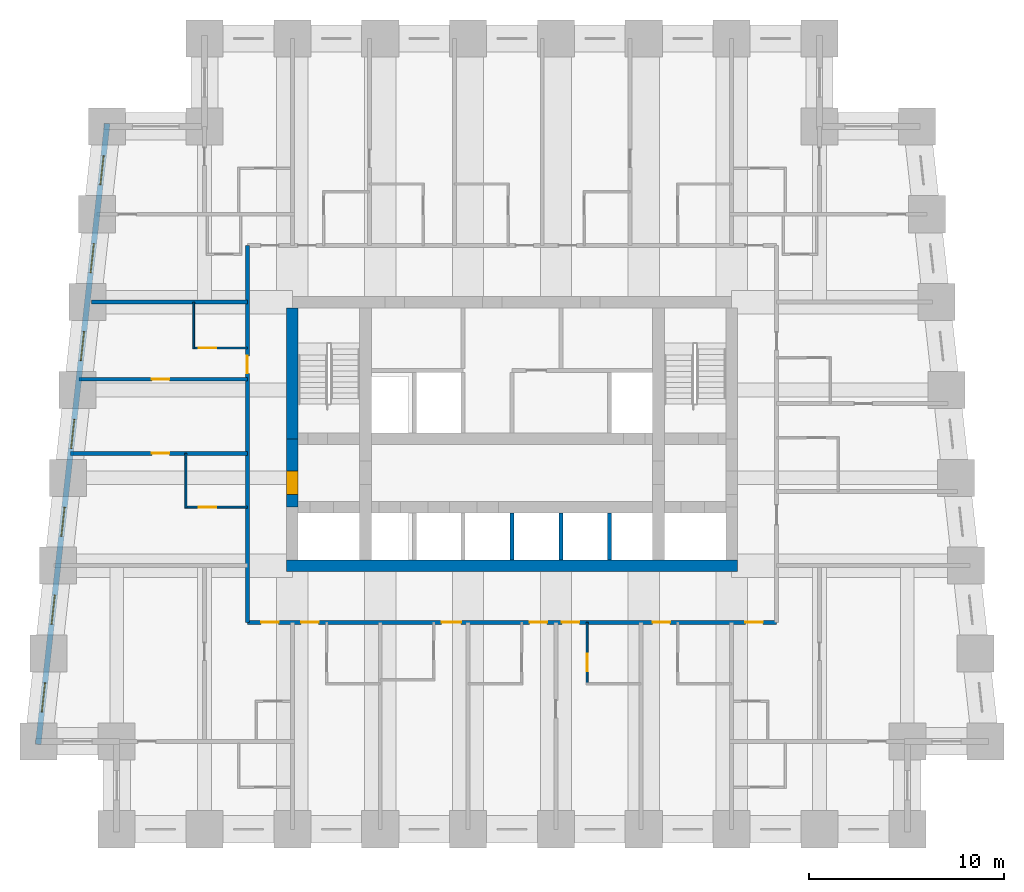
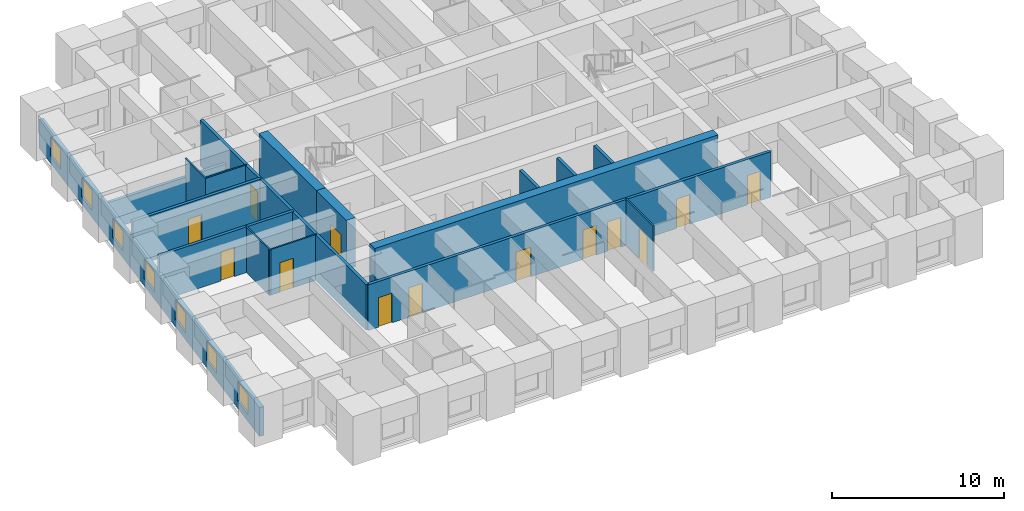
# One storey, part 3 of 8: 17 walls, 14 doors, 7 windows, 21 openings.
"""IFC4 building model written with IfcOpenShell, lengths in metres."""

from ifc_helpers import new_model, si_unit, direction, frame, frame_2d, origin, place, context, subcontext, project, spatial, rectangle, extrude, material, layer, layer_set, type_object, element, fill, save


model = new_model("IFC4")

# Units and contexts
model_context = context("Model", 3, precision=1e-05, world=origin(), true_north=direction((0.0, 1.0)))
body_context = subcontext(model_context, "Body", "Model", "MODEL_VIEW")
ifc_project = project(units=[si_unit("LENGTHUNIT", "METRE"), si_unit("AREAUNIT", "SQUARE_METRE"), si_unit("VOLUMEUNIT", "CUBIC_METRE"), si_unit("PLANEANGLEUNIT", "RADIAN"), si_unit("MASSUNIT", "GRAM", prefix="KILO")], contexts=[model_context])

# Site, building, storey
site_placement = place(None, origin())
site = spatial("IfcSite", under=ifc_project, at=site_placement, CompositionType="ELEMENT")
building_placement = place(site_placement, origin())
building = spatial("IfcBuilding", under=site, at=building_placement, Name="Kilele Tower Hotel", CompositionType="ELEMENT")
storey_placement = place(building_placement, frame((0.0, 0.0, 68.199951171875)))
storey = spatial("IfcBuildingStorey", under=building, at=storey_placement, Name="L16", CompositionType="ELEMENT", Elevation=68.199951171875)

# Wall, opening, door
ifc_material_1 = material(Name="Moisture-resistant board")
ifc_layer_1 = layer(ifc_material_1, 0.10009765625)
ifc_layer_set_1 = layer_set([ifc_layer_1], Name="Moisture-resistant board")
wall_type_1 = type_object("IfcWallType", Name="Bathroom partition 100", PredefinedType="PLUMBINGWALL", material=ifc_layer_set_1)
wall_1_placement = place(storey_placement, frame((28.60009765625, 10.60009765625, 0.0), z_axis=(0.0, 0.0, 1.0), x_axis=(0.0, -1.0, 0.0)))
wall_1 = element("IfcWall", 1, at=wall_1_placement, inside=storey, type_object=wall_type_1, Name="Bathroom partition 100 L16", PredefinedType="PLUMBINGWALL", context=body_context, shape_type="SweptSolid", body=[
    extrude(rectangle(XDim=3.2001953125, YDim=0.10009765625, at=frame_2d((1.60009765625, 0.0))), origin(), (0.0, 0.0, 1.0), 3.25),
])
opening_1_placement = place(wall_1_placement, frame((2.5, 0.0, 0.0), z_axis=(0.0, 0.0, 1.0), x_axis=(-1.0, 0.0, 0.0)))
opening_1 = element("IfcOpeningElement", 2, at=opening_1_placement, cuts=wall_1, Name="Opening D2A", PredefinedType="OPENING", context=body_context, shape_type="SweptSolid", body=[
    extrude(rectangle(XDim=0.89990234375, YDim=2.10009765625, at=frame_2d((0.449951171875, 1.050048828125))), frame((0.0, 0.06005859375, 0.0), z_axis=(0.0, -1.0, 0.0), x_axis=(1.0, 0.0, 0.0)), (0.0, 0.0, 1.0), 0.1201171875),
])
ifc_material_2 = material(Name="Timber door leaf in hardwood frame", Category="wood")
door_type_1 = type_object("IfcDoorType", Name="Bathroom door 900", OperationType="SINGLE_SWING_LEFT", PredefinedType="DOOR", material=ifc_material_2)
door_1_placement = place(opening_1_placement, origin())
door_1 = element("IfcDoor", 3, at=door_1_placement, inside=storey, type_object=door_type_1, Name="Bathroom door 1604B", OperationType="SINGLE_SWING_LEFT", OverallHeight=2.10009765625, OverallWidth=0.89990234375, PredefinedType="DOOR", context=body_context, shape_type="SweptSolid", body=[
    extrude(rectangle(XDim=0.89990234375, YDim=2.10009765625, at=frame_2d((0.449951171875, 1.050048828125))), frame((0.0, 0.02490234375, 0.0), z_axis=(0.0, -1.0, 0.0), x_axis=(1.0, 0.0, 0.0)), (0.0, 0.0, 1.0), 0.050048828125),
])
fill(opening_1, door_1)

# Wall
wall_2_placement = place(storey_placement, frame((8.050048828125, 16.449951171875, 0.0), z_axis=(0.0, 0.0, 1.0), x_axis=(0.0, 1.0, 0.0)))
element("IfcWall", 4, at=wall_2_placement, inside=storey, type_object=wall_type_1, Name="Bathroom partition 100 L16", PredefinedType="PLUMBINGWALL", context=body_context, shape_type="SweptSolid", body=[
    extrude(rectangle(XDim=2.800048828125, YDim=0.10009765625, at=frame_2d((1.39990234375, 0.0))), origin(), (0.0, 0.0, 1.0), 3.25),
])

# Wall, opening, door
wall_3_placement = place(storey_placement, frame((11.199951171875, 16.5, 0.0), z_axis=(0.0, 0.0, 1.0), x_axis=(-1.0, 0.0, 0.0)))
wall_3 = element("IfcWall", 5, at=wall_3_placement, inside=storey, type_object=wall_type_1, Name="Bathroom partition 100 L16", PredefinedType="PLUMBINGWALL", context=body_context, shape_type="SweptSolid", body=[
    extrude(rectangle(XDim=3.199951171875, YDim=0.10009765625, at=frame_2d((1.60009765625, 0.0))), origin(), (0.0, 0.0, 1.0), 3.25),
])
opening_2_placement = place(wall_3_placement, frame((1.60009765625, 0.0, 0.0)))
opening_2 = element("IfcOpeningElement", 6, at=opening_2_placement, cuts=wall_3, Name="Opening D2A", PredefinedType="OPENING", context=body_context, shape_type="SweptSolid", body=[
    extrude(rectangle(XDim=0.89990234375, YDim=2.10009765625, at=frame_2d((0.449951171875, 1.050048828125))), frame((0.0, 0.06005859375, 0.0), z_axis=(0.0, -1.0, 0.0), x_axis=(1.0, 0.0, 0.0)), (0.0, 0.0, 1.0), 0.1201171875),
])
door_2_placement = place(opening_2_placement, origin())
door_2 = element("IfcDoor", 7, at=door_2_placement, inside=storey, type_object=door_type_1, Name="Bathroom door 1614B", OperationType="SINGLE_SWING_RIGHT", OverallHeight=2.10009765625, OverallWidth=0.89990234375, PredefinedType="DOOR", context=body_context, shape_type="SweptSolid", body=[
    extrude(rectangle(XDim=0.89990234375, YDim=2.10009765625, at=frame_2d((0.449951171875, 1.050048828125))), frame((0.0, 0.02490234375, 0.0), z_axis=(0.0, -1.0, 0.0), x_axis=(1.0, 0.0, 0.0)), (0.0, 0.0, 1.0), 0.050048828125),
])
fill(opening_2, door_2)

# Wall
wall_4_placement = place(storey_placement, frame((8.449951171875, 24.60009765625, 0.0), z_axis=(0.0, 0.0, 1.0), x_axis=(0.0, 1.0, 0.0)))
element("IfcWall", 8, at=wall_4_placement, inside=storey, type_object=wall_type_1, Name="Bathroom partition 100 L16", PredefinedType="PLUMBINGWALL", context=body_context, shape_type="SweptSolid", body=[
    extrude(rectangle(XDim=2.39990234375, YDim=0.10009765625, at=frame_2d((1.199951171875, 0.0))), origin(), (0.0, 0.0, 1.0), 3.25),
])

# Wall, opening, door
wall_5_placement = place(storey_placement, frame((11.199951171875, 24.64990234375, 0.0), z_axis=(0.0, 0.0, 1.0), x_axis=(-1.0, 0.0, 0.0)))
wall_5 = element("IfcWall", 9, at=wall_5_placement, inside=storey, type_object=wall_type_1, Name="Bathroom partition 100 L16", PredefinedType="PLUMBINGWALL", context=body_context, shape_type="SweptSolid", body=[
    extrude(rectangle(XDim=2.800048828125, YDim=0.10009765625, at=frame_2d((1.39990234375, 0.0))), origin(), (0.0, 0.0, 1.0), 3.25),
])
opening_3_placement = place(wall_5_placement, frame((1.60009765625, 0.0, 0.0)))
opening_3 = element("IfcOpeningElement", 10, at=opening_3_placement, cuts=wall_5, Name="Opening D2A", PredefinedType="OPENING", context=body_context, shape_type="SweptSolid", body=[
    extrude(rectangle(XDim=0.89990234375, YDim=2.10009765625, at=frame_2d((0.449951171875, 1.050048828125))), frame((0.0, 0.06005859375, 0.0), z_axis=(0.0, -1.0, 0.0), x_axis=(1.0, 0.0, 0.0)), (0.0, 0.0, 1.0), 0.1201171875),
])
door_3_placement = place(opening_3_placement, origin())
door_3 = element("IfcDoor", 11, at=door_3_placement, inside=storey, type_object=door_type_1, Name="Bathroom door 1616B", OperationType="SINGLE_SWING_RIGHT", OverallHeight=2.10009765625, OverallWidth=0.89990234375, PredefinedType="DOOR", context=body_context, shape_type="SweptSolid", body=[
    extrude(rectangle(XDim=0.89990234375, YDim=2.10009765625, at=frame_2d((0.449951171875, 1.050048828125))), frame((0.0, 0.02490234375, 0.0), z_axis=(0.0, -1.0, 0.0), x_axis=(1.0, 0.0, 0.0)), (0.0, 0.0, 1.0), 0.050048828125),
])
fill(opening_3, door_3)

# Walls
ifc_material_3 = material(Name="Concrete C60/75", Category="concrete")
ifc_layer_2 = layer(ifc_material_3, 0.60009765625)
ifc_layer_set_2 = layer_set([ifc_layer_2], Name="Concrete C60/75")
wall_type_2 = type_object("IfcWallType", Name="Core wall 600 C60/75", PredefinedType="SHEAR", material=ifc_layer_set_2)
wall_6_placement = place(storey_placement, frame((13.199951171875, 13.5, 0.0), z_axis=(0.0, 0.0, 1.0), x_axis=(1.0, 0.0, 0.0)))
element("IfcWall", 12, at=wall_6_placement, inside=storey, type_object=wall_type_2, Name="Core wall S L16", PredefinedType="SHEAR", context=body_context, shape_type="SweptSolid", body=[
    extrude(rectangle(XDim=23.10009765625, YDim=0.60009765625, at=frame_2d((11.550048828125, 0.0))), origin(), (0.0, 0.0, 1.0), 3.5),
])
wall_7_placement = place(storey_placement, frame((13.5, 26.699951171875, 0.0), z_axis=(0.0, 0.0, 1.0), x_axis=(0.0, -1.0, 0.0)))
element("IfcWall", 13, at=wall_7_placement, inside=storey, type_object=wall_type_2, Name="Core wall W1 L16", PredefinedType="SHEAR", context=body_context, shape_type="SweptSolid", body=[
    extrude(rectangle(XDim=6.699951171875, YDim=0.60009765625, at=frame_2d((3.35009765625, 0.0))), origin(), (0.0, 0.0, 1.0), 3.5),
])

# Wall, opening, door
wall_8_placement = place(storey_placement, frame((13.5, 20.0, 0.0), z_axis=(0.0, 0.0, 1.0), x_axis=(0.0, -1.0, 0.0)))
wall_8 = element("IfcWall", 14, at=wall_8_placement, inside=storey, type_object=wall_type_2, Name="Core wall W2 L16", PredefinedType="SHEAR", context=body_context, shape_type="SweptSolid", body=[
    extrude(rectangle(XDim=3.5, YDim=0.60009765625, at=frame_2d((1.75, 0.0))), origin(), (0.0, 0.0, 1.0), 3.5),
])
opening_4_placement = place(wall_8_placement, frame((1.64990234375, 0.0, 0.0)))
opening_4 = element("IfcOpeningElement", 15, at=opening_4_placement, cuts=wall_8, Name="Opening D4", PredefinedType="OPENING", context=body_context, shape_type="SweptSolid", body=[
    extrude(rectangle(XDim=1.199951171875, YDim=2.10009765625, at=frame_2d((0.60009765625, 1.050048828125))), frame((0.0, 0.31005859375, 0.0), z_axis=(0.0, -1.0, 0.0), x_axis=(1.0, 0.0, 0.0)), (0.0, 0.0, 1.0), 0.6201171875),
])
ifc_material_4 = material(Name="Timber door leaf in hardwood frame", Category="wood")
door_type_2 = type_object("IfcDoorType", Name="Firefighting lobby door 1200", OperationType="SINGLE_SWING_LEFT", PredefinedType="DOOR", material=ifc_material_4)
door_4_placement = place(opening_4_placement, origin())
door_4 = element("IfcDoor", 16, at=door_4_placement, inside=storey, type_object=door_type_2, Name="Lobby door L16", OperationType="SINGLE_SWING_RIGHT", OverallHeight=2.10009765625, OverallWidth=1.199951171875, PredefinedType="DOOR", context=body_context, shape_type="SweptSolid", body=[
    extrude(rectangle(XDim=1.199951171875, YDim=2.10009765625, at=frame_2d((0.60009765625, 1.050048828125))), frame((0.0, 0.2998046875, 0.0), z_axis=(0.0, -1.0, 0.0), x_axis=(1.0, 0.0, 0.0)), (0.0, 0.0, 1.0), 0.599609375),
])
fill(opening_4, door_4)

# Wall, openings, doors
ifc_material_5 = material(Name="Blockwork, plastered both sides", Category="masonry")
ifc_layer_3 = layer(ifc_material_5, 0.199951171875)
ifc_layer_set_3 = layer_set([ifc_layer_3], Name="Blockwork, plastered both sides")
wall_type_3 = type_object("IfcWallType", Name="Corridor wall 200", PredefinedType="PARTITIONING", material=ifc_layer_set_3)
wall_9_placement = place(storey_placement, frame((11.199951171875, 10.60009765625, 0.0), z_axis=(0.0, 0.0, 1.0), x_axis=(1.0, 0.0, 0.0)))
wall_9 = element("IfcWall", 17, at=wall_9_placement, inside=storey, type_object=wall_type_3, Name="Corridor wall 200 L16", PredefinedType="PARTITIONING", context=body_context, shape_type="SweptSolid", body=[
    extrude(rectangle(XDim=27.10009765625, YDim=0.199951171875, at=frame_2d((13.550048828125, 0.0))), origin(), (0.0, 0.0, 1.0), 3.25),
])
opening_5_placement = place(wall_9_placement, frame((3.64990234375, 0.0, 0.0), z_axis=(0.0, 0.0, 1.0), x_axis=(-1.0, 0.0, 0.0)))
opening_5 = element("IfcOpeningElement", 18, at=opening_5_placement, cuts=wall_9, Name="Opening D1", PredefinedType="OPENING", context=body_context, shape_type="SweptSolid", body=[
    extrude(rectangle(XDim=0.89990234375, YDim=2.10009765625, at=frame_2d((0.449951171875, 1.050048828125))), frame((0.0, 0.10986328125, 0.0), z_axis=(0.0, -1.0, 0.0), x_axis=(1.0, 0.0, 0.0)), (0.0, 0.0, 1.0), 0.219970703125),
])
opening_6_placement = place(wall_9_placement, frame((10.949951171875, 0.0, 0.0), z_axis=(0.0, 0.0, 1.0), x_axis=(-1.0, 0.0, 0.0)))
opening_6 = element("IfcOpeningElement", 19, at=opening_6_placement, cuts=wall_9, Name="Opening D1A", PredefinedType="OPENING", context=body_context, shape_type="SweptSolid", body=[
    extrude(rectangle(XDim=1.0, YDim=2.10009765625, at=frame_2d((0.5, 1.050048828125))), frame((0.0, 0.10986328125, 0.0), z_axis=(0.0, -1.0, 0.0), x_axis=(1.0, 0.0, 0.0)), (0.0, 0.0, 1.0), 0.219970703125),
])
opening_7_placement = place(wall_9_placement, frame((15.349853515625, 0.0, 0.0), z_axis=(0.0, 0.0, 1.0), x_axis=(-1.0, 0.0, 0.0)))
opening_7 = element("IfcOpeningElement", 20, at=opening_7_placement, cuts=wall_9, Name="Opening D1", PredefinedType="OPENING", context=body_context, shape_type="SweptSolid", body=[
    extrude(rectangle(XDim=0.89990234375, YDim=2.10009765625, at=frame_2d((0.449951171875, 1.050048828125))), frame((0.0, 0.10986328125, 0.0), z_axis=(0.0, -1.0, 0.0), x_axis=(1.0, 0.0, 0.0)), (0.0, 0.0, 1.0), 0.219970703125),
])
opening_8_placement = place(wall_9_placement, frame((17.0, 0.0, 0.0), z_axis=(0.0, 0.0, 1.0), x_axis=(-1.0, 0.0, 0.0)))
opening_8 = element("IfcOpeningElement", 21, at=opening_8_placement, cuts=wall_9, Name="Opening D1", PredefinedType="OPENING", context=body_context, shape_type="SweptSolid", body=[
    extrude(rectangle(XDim=0.89990234375, YDim=2.10009765625, at=frame_2d((0.449951171875, 1.050048828125))), frame((0.0, 0.10986328125, 0.0), z_axis=(0.0, -1.0, 0.0), x_axis=(1.0, 0.0, 0.0)), (0.0, 0.0, 1.0), 0.219970703125),
])
opening_9_placement = place(wall_9_placement, frame((21.64990234375, 0.0, 0.0), z_axis=(0.0, 0.0, 1.0), x_axis=(-1.0, 0.0, 0.0)))
opening_9 = element("IfcOpeningElement", 22, at=opening_9_placement, cuts=wall_9, Name="Opening D1", PredefinedType="OPENING", context=body_context, shape_type="SweptSolid", body=[
    extrude(rectangle(XDim=0.89990234375, YDim=2.10009765625, at=frame_2d((0.449951171875, 1.050048828125))), frame((0.0, 0.10986328125, 0.0), z_axis=(0.0, -1.0, 0.0), x_axis=(1.0, 0.0, 0.0)), (0.0, 0.0, 1.0), 0.219970703125),
])
opening_10_placement = place(wall_9_placement, frame((1.599853515625, 0.0, 0.0), z_axis=(0.0, 0.0, 1.0), x_axis=(-1.0, 0.0, 0.0)))
opening_10 = element("IfcOpeningElement", 23, at=opening_10_placement, cuts=wall_9, Name="Opening D1", PredefinedType="OPENING", context=body_context, shape_type="SweptSolid", body=[
    extrude(rectangle(XDim=0.89990234375, YDim=2.10009765625, at=frame_2d((0.449951171875, 1.050048828125))), frame((0.0, 0.10986328125, 0.0), z_axis=(0.0, -1.0, 0.0), x_axis=(1.0, 0.0, 0.0)), (0.0, 0.0, 1.0), 0.219970703125),
])
opening_11_placement = place(wall_9_placement, frame((26.39990234375, 0.0, 0.0), z_axis=(0.0, 0.0, 1.0), x_axis=(-1.0, 0.0, 0.0)))
opening_11 = element("IfcOpeningElement", 24, at=opening_11_placement, cuts=wall_9, Name="Opening D1", PredefinedType="OPENING", context=body_context, shape_type="SweptSolid", body=[
    extrude(rectangle(XDim=0.89990234375, YDim=2.10009765625, at=frame_2d((0.449951171875, 1.050048828125))), frame((0.0, 0.10986328125, 0.0), z_axis=(0.0, -1.0, 0.0), x_axis=(1.0, 0.0, 0.0)), (0.0, 0.0, 1.0), 0.219970703125),
])
ifc_material_6 = material(Name="Timber door leaf in hardwood frame", Category="wood")
door_type_3 = type_object("IfcDoorType", Name="Guest room entrance door 1000", OperationType="SINGLE_SWING_LEFT", PredefinedType="DOOR", material=ifc_material_6)
door_5_placement = place(opening_6_placement, origin())
door_5 = element("IfcDoor", 25, at=door_5_placement, inside=storey, type_object=door_type_3, Name="Room entrance 1602", OperationType="SINGLE_SWING_RIGHT", OverallHeight=2.10009765625, OverallWidth=1.0, PredefinedType="DOOR", context=body_context, shape_type="SweptSolid", body=[
    extrude(rectangle(XDim=1.0, YDim=2.10009765625, at=frame_2d((0.5, 1.050048828125))), frame((0.0, 0.02490234375, 0.0), z_axis=(0.0, -1.0, 0.0), x_axis=(1.0, 0.0, 0.0)), (0.0, 0.0, 1.0), 0.050048828125),
])
fill(opening_6, door_5)
ifc_material_7 = material(Name="Timber door leaf in hardwood frame", Category="wood")
door_type_4 = type_object("IfcDoorType", Name="Guest room entrance door 900", OperationType="SINGLE_SWING_LEFT", PredefinedType="DOOR", material=ifc_material_7)
door_6_placement = place(opening_5_placement, origin())
door_6 = element("IfcDoor", 26, at=door_6_placement, inside=storey, type_object=door_type_4, Name="Room entrance 1601", OperationType="SINGLE_SWING_RIGHT", OverallHeight=2.10009765625, OverallWidth=0.89990234375, PredefinedType="DOOR", context=body_context, shape_type="SweptSolid", body=[
    extrude(rectangle(XDim=0.89990234375, YDim=2.10009765625, at=frame_2d((0.449951171875, 1.050048828125))), frame((0.0, 0.02490234375, 0.0), z_axis=(0.0, -1.0, 0.0), x_axis=(1.0, 0.0, 0.0)), (0.0, 0.0, 1.0), 0.050048828125),
])
fill(opening_5, door_6)
door_7_placement = place(opening_7_placement, origin())
door_7 = element("IfcDoor", 27, at=door_7_placement, inside=storey, type_object=door_type_4, Name="Room entrance 1603", OperationType="SINGLE_SWING_LEFT", OverallHeight=2.10009765625, OverallWidth=0.89990234375, PredefinedType="DOOR", context=body_context, shape_type="SweptSolid", body=[
    extrude(rectangle(XDim=0.89990234375, YDim=2.10009765625, at=frame_2d((0.449951171875, 1.050048828125))), frame((0.0, 0.02490234375, 0.0), z_axis=(0.0, -1.0, 0.0), x_axis=(1.0, 0.0, 0.0)), (0.0, 0.0, 1.0), 0.050048828125),
])
fill(opening_7, door_7)
door_8_placement = place(opening_8_placement, origin())
door_8 = element("IfcDoor", 28, at=door_8_placement, inside=storey, type_object=door_type_4, Name="Room entrance 1604", OperationType="SINGLE_SWING_RIGHT", OverallHeight=2.10009765625, OverallWidth=0.89990234375, PredefinedType="DOOR", context=body_context, shape_type="SweptSolid", body=[
    extrude(rectangle(XDim=0.89990234375, YDim=2.10009765625, at=frame_2d((0.449951171875, 1.050048828125))), frame((0.0, 0.02490234375, 0.0), z_axis=(0.0, -1.0, 0.0), x_axis=(1.0, 0.0, 0.0)), (0.0, 0.0, 1.0), 0.050048828125),
])
fill(opening_8, door_8)
door_9_placement = place(opening_9_placement, origin())
door_9 = element("IfcDoor", 29, at=door_9_placement, inside=storey, type_object=door_type_4, Name="Room entrance 1605", OperationType="SINGLE_SWING_LEFT", OverallHeight=2.10009765625, OverallWidth=0.89990234375, PredefinedType="DOOR", context=body_context, shape_type="SweptSolid", body=[
    extrude(rectangle(XDim=0.89990234375, YDim=2.10009765625, at=frame_2d((0.449951171875, 1.050048828125))), frame((0.0, 0.02490234375, 0.0), z_axis=(0.0, -1.0, 0.0), x_axis=(1.0, 0.0, 0.0)), (0.0, 0.0, 1.0), 0.050048828125),
])
fill(opening_9, door_9)
door_10_placement = place(opening_10_placement, origin())
door_10 = element("IfcDoor", 30, at=door_10_placement, inside=storey, type_object=door_type_4, Name="Room entrance 1617", OperationType="SINGLE_SWING_LEFT", OverallHeight=2.10009765625, OverallWidth=0.89990234375, PredefinedType="DOOR", context=body_context, shape_type="SweptSolid", body=[
    extrude(rectangle(XDim=0.89990234375, YDim=2.10009765625, at=frame_2d((0.449951171875, 1.050048828125))), frame((0.0, 0.02490234375, 0.0), z_axis=(0.0, -1.0, 0.0), x_axis=(1.0, 0.0, 0.0)), (0.0, 0.0, 1.0), 0.050048828125),
])
fill(opening_10, door_10)
door_11_placement = place(opening_11_placement, origin())
door_11 = element("IfcDoor", 31, at=door_11_placement, inside=storey, type_object=door_type_4, Name="Room entrance 1620", OperationType="SINGLE_SWING_RIGHT", OverallHeight=2.10009765625, OverallWidth=0.89990234375, PredefinedType="DOOR", context=body_context, shape_type="SweptSolid", body=[
    extrude(rectangle(XDim=0.89990234375, YDim=2.10009765625, at=frame_2d((0.449951171875, 1.050048828125))), frame((0.0, 0.02490234375, 0.0), z_axis=(0.0, -1.0, 0.0), x_axis=(1.0, 0.0, 0.0)), (0.0, 0.0, 1.0), 0.050048828125),
])
fill(opening_11, door_11)

# Wall, opening, door
wall_10_placement = place(storey_placement, frame((11.199951171875, 10.60009765625, 0.0), z_axis=(0.0, 0.0, 1.0), x_axis=(0.0, 1.0, 0.0)))
wall_10 = element("IfcWall", 32, at=wall_10_placement, inside=storey, type_object=wall_type_3, Name="Corridor wall 200 L16", PredefinedType="PARTITIONING", context=body_context, shape_type="SweptSolid", body=[
    extrude(rectangle(XDim=19.2998046875, YDim=0.199951171875, at=frame_2d((9.64990234375, 0.0))), origin(), (0.0, 0.0, 1.0), 3.25),
])
opening_12_placement = place(wall_10_placement, frame((12.75, 0.0, 0.0)))
opening_12 = element("IfcOpeningElement", 33, at=opening_12_placement, cuts=wall_10, Name="Opening D1", PredefinedType="OPENING", context=body_context, shape_type="SweptSolid", body=[
    extrude(rectangle(XDim=0.89990234375, YDim=2.10009765625, at=frame_2d((0.449951171875, 1.050048828125))), frame((0.0, 0.10986328125, 0.0), z_axis=(0.0, -1.0, 0.0), x_axis=(1.0, 0.0, 0.0)), (0.0, 0.0, 1.0), 0.219970703125),
])
door_12_placement = place(opening_12_placement, origin())
door_12 = element("IfcDoor", 34, at=door_12_placement, inside=storey, type_object=door_type_4, Name="Room entrance 1616", OperationType="SINGLE_SWING_LEFT", OverallHeight=2.10009765625, OverallWidth=0.89990234375, PredefinedType="DOOR", context=body_context, shape_type="SweptSolid", body=[
    extrude(rectangle(XDim=0.89990234375, YDim=2.10009765625, at=frame_2d((0.449951171875, 1.050048828125))), frame((0.0, 0.02490234375, 0.0), z_axis=(0.0, -1.0, 0.0), x_axis=(1.0, 0.0, 0.0)), (0.0, 0.0, 1.0), 0.050048828125),
])
fill(opening_12, door_12)

ifc_material_8 = material(Name="Blockwork, plastered both sides", Category="masonry")
ifc_layer_4 = layer(ifc_material_8, 0.199951171875)
ifc_layer_set_4 = layer_set([ifc_layer_4], Name="Blockwork, plastered both sides")
wall_type_4 = type_object("IfcWallType", Name="Party wall 200", PredefinedType="PARTITIONING", material=ifc_layer_set_4)
wall_11_placement = place(storey_placement, frame((11.199951171875, 19.25, 0.0), z_axis=(0.0, 0.0, 1.0), x_axis=(-1.0, 0.0, 0.0)))
wall_11 = element("IfcWall", 35, at=wall_11_placement, inside=storey, type_object=wall_type_4, Name="Party wall 200 L16", PredefinedType="PARTITIONING", context=body_context, shape_type="SweptSolid", body=[
    extrude(rectangle(XDim=9.06005859375, YDim=0.199951171875, at=frame_2d((4.530029296875, 0.0))), origin(), (0.0, 0.0, 1.0), 3.25),
])
opening_13_placement = place(wall_11_placement, frame((4.0, 0.0, 0.0)))
opening_13 = element("IfcOpeningElement", 36, at=opening_13_placement, cuts=wall_11, Name="Opening D3", PredefinedType="OPENING", context=body_context, shape_type="SweptSolid", body=[
    extrude(rectangle(XDim=0.89990234375, YDim=2.10009765625, at=frame_2d((0.449951171875, 1.050048828125))), frame((0.0, 0.10986328125, 0.0), z_axis=(0.0, -1.0, 0.0), x_axis=(1.0, 0.0, 0.0)), (0.0, 0.0, 1.0), 0.219970703125),
])
ifc_material_9 = material(Name="Timber door leaf in hardwood frame", Category="wood")
door_type_5 = type_object("IfcDoorType", Name="Suite internal door 900", OperationType="SINGLE_SWING_LEFT", PredefinedType="DOOR", material=ifc_material_9)
door_13_placement = place(opening_13_placement, origin())
door_13 = element("IfcDoor", 37, at=door_13_placement, inside=storey, type_object=door_type_5, Name="Suite door 1615", OperationType="SINGLE_SWING_LEFT", OverallHeight=2.10009765625, OverallWidth=0.89990234375, PredefinedType="DOOR", context=body_context, shape_type="SweptSolid", body=[
    extrude(rectangle(XDim=0.89990234375, YDim=2.10009765625, at=frame_2d((0.449951171875, 1.050048828125))), frame((0.0, 0.02490234375, 0.0), z_axis=(0.0, -1.0, 0.0), x_axis=(1.0, 0.0, 0.0)), (0.0, 0.0, 1.0), 0.050048828125),
])
fill(opening_13, door_13)

wall_12_placement = place(storey_placement, frame((11.199951171875, 23.050048828125, 0.0), z_axis=(0.0, 0.0, 1.0), x_axis=(-1.0, 0.0, 0.0)))
wall_12 = element("IfcWall", 38, at=wall_12_placement, inside=storey, type_object=wall_type_4, Name="Party wall 200 L16", PredefinedType="PARTITIONING", context=body_context, shape_type="SweptSolid", body=[
    extrude(rectangle(XDim=8.637939453125, YDim=0.199951171875, at=frame_2d((4.31884765625, 0.0))), origin(), (0.0, 0.0, 1.0), 3.25),
])
opening_14_placement = place(wall_12_placement, frame((4.0, 0.0, 0.0)))
opening_14 = element("IfcOpeningElement", 39, at=opening_14_placement, cuts=wall_12, Name="Opening D3", PredefinedType="OPENING", context=body_context, shape_type="SweptSolid", body=[
    extrude(rectangle(XDim=0.89990234375, YDim=2.10009765625, at=frame_2d((0.449951171875, 1.050048828125))), frame((0.0, 0.10986328125, 0.0), z_axis=(0.0, -1.0, 0.0), x_axis=(1.0, 0.0, 0.0)), (0.0, 0.0, 1.0), 0.219970703125),
])
door_14_placement = place(opening_14_placement, origin())
door_14 = element("IfcDoor", 40, at=door_14_placement, inside=storey, type_object=door_type_5, Name="Suite door 1616", OperationType="SINGLE_SWING_RIGHT", OverallHeight=2.10009765625, OverallWidth=0.89990234375, PredefinedType="DOOR", context=body_context, shape_type="SweptSolid", body=[
    extrude(rectangle(XDim=0.89990234375, YDim=2.10009765625, at=frame_2d((0.449951171875, 1.050048828125))), frame((0.0, 0.02490234375, 0.0), z_axis=(0.0, -1.0, 0.0), x_axis=(1.0, 0.0, 0.0)), (0.0, 0.0, 1.0), 0.050048828125),
])
fill(opening_14, door_14)

# Wall
wall_13_placement = place(storey_placement, frame((11.199951171875, 27.0, 0.0), z_axis=(0.0, 0.0, 1.0), x_axis=(-1.0, 0.0, 0.0)))
element("IfcWall", 41, at=wall_13_placement, inside=storey, type_object=wall_type_4, Name="Party wall 200 L16", PredefinedType="PARTITIONING", context=body_context, shape_type="SweptSolid", body=[
    extrude(rectangle(XDim=7.976806640625, YDim=0.199951171875, at=frame_2d((3.98828125, 0.0))), origin(), (0.0, 0.0, 1.0), 1.949951171875),
])

# Wall, openings, windows
ifc_material_10 = material(Name="Concrete C40/50 precast", Category="concrete")
ifc_layer_5 = layer(ifc_material_10, 0.260009765625, Name="Precast backing", Category="LoadBearing")
ifc_material_11 = material(Name="Reconstituted stone finish", Category="masonry")
ifc_layer_6 = layer(ifc_material_11, 0.0400390625, Name="Face mix", Category="Finish")
ifc_layer_set_5 = layer_set([ifc_layer_5, ifc_layer_6], Name="Precast concrete C40/50, reconstituted stone finish")
wall_type_5 = type_object("IfcWallType", Name="Precast stone facade wall 300", PredefinedType="STANDARD", material=ifc_layer_set_5)
wall_14_placement = place(storey_placement, frame((4.0166015625, 36.149169921875, 0.0), z_axis=(0.0, 0.0, 1.0), x_axis=(-0.110433201132, -0.993883548555, 0.0)))
wall_14 = element("IfcWall", 42, at=wall_14_placement, inside=storey, type_object=wall_type_5, Name="Facade wall L16 edge 12", PredefinedType="STANDARD", context=body_context, shape_type="SweptSolid", body=[
    extrude(rectangle(XDim=31.994140625, YDim=0.300048828125, at=frame_2d((15.9970703125, 0.0))), origin(), (0.0, 0.0, 1.0), 2.050048828125),
])
opening_15_placement = place(wall_14_placement, frame((1.6640625, 0.0, 0.5)))
opening_15 = element("IfcOpeningElement", 43, at=opening_15_placement, cuts=wall_14, Name="Opening W1", PredefinedType="OPENING", context=body_context, shape_type="SweptSolid", body=[
    extrude(rectangle(XDim=1.5, YDim=1.39990234375, at=frame_2d((0.75, 0.699951171875))), frame((0.0, 0.159912109375, 0.0), z_axis=(0.0, -1.0, 0.0), x_axis=(1.0, 0.0, 0.0)), (0.0, 0.0, 1.0), 0.320068359375),
])
opening_16_placement = place(wall_14_placement, frame((6.19189453125, 0.0, 0.5)))
opening_16 = element("IfcOpeningElement", 44, at=opening_16_placement, cuts=wall_14, Name="Opening W1", PredefinedType="OPENING", context=body_context, shape_type="SweptSolid", body=[
    extrude(rectangle(XDim=1.5, YDim=1.39990234375, at=frame_2d((0.75, 0.699951171875))), frame((0.0, 0.159912109375, 0.0), z_axis=(0.0, -1.0, 0.0), x_axis=(1.0, 0.0, 0.0)), (0.0, 0.0, 1.0), 0.320068359375),
])
opening_17_placement = place(wall_14_placement, frame((10.718994140625, 0.0, 0.5)))
opening_17 = element("IfcOpeningElement", 45, at=opening_17_placement, cuts=wall_14, Name="Opening W1", PredefinedType="OPENING", context=body_context, shape_type="SweptSolid", body=[
    extrude(rectangle(XDim=1.5, YDim=1.39990234375, at=frame_2d((0.75, 0.699951171875))), frame((0.0, 0.159912109375, 0.0), z_axis=(0.0, -1.0, 0.0), x_axis=(1.0, 0.0, 0.0)), (0.0, 0.0, 1.0), 0.320068359375),
])
opening_18_placement = place(wall_14_placement, frame((15.2470703125, 0.0, 0.5)))
opening_18 = element("IfcOpeningElement", 46, at=opening_18_placement, cuts=wall_14, Name="Opening W1", PredefinedType="OPENING", context=body_context, shape_type="SweptSolid", body=[
    extrude(rectangle(XDim=1.5, YDim=1.39990234375, at=frame_2d((0.75, 0.699951171875))), frame((0.0, 0.159912109375, 0.0), z_axis=(0.0, -1.0, 0.0), x_axis=(1.0, 0.0, 0.0)), (0.0, 0.0, 1.0), 0.320068359375),
])
opening_19_placement = place(wall_14_placement, frame((19.77490234375, 0.0, 0.5)))
opening_19 = element("IfcOpeningElement", 47, at=opening_19_placement, cuts=wall_14, Name="Opening W1", PredefinedType="OPENING", context=body_context, shape_type="SweptSolid", body=[
    extrude(rectangle(XDim=1.5, YDim=1.39990234375, at=frame_2d((0.75, 0.699951171875))), frame((0.0, 0.159912109375, 0.0), z_axis=(0.0, -1.0, 0.0), x_axis=(1.0, 0.0, 0.0)), (0.0, 0.0, 1.0), 0.320068359375),
])
opening_20_placement = place(wall_14_placement, frame((24.302001953125, 0.0, 0.5)))
opening_20 = element("IfcOpeningElement", 48, at=opening_20_placement, cuts=wall_14, Name="Opening W1", PredefinedType="OPENING", context=body_context, shape_type="SweptSolid", body=[
    extrude(rectangle(XDim=1.5, YDim=1.39990234375, at=frame_2d((0.75, 0.699951171875))), frame((0.0, 0.159912109375, 0.0), z_axis=(0.0, -1.0, 0.0), x_axis=(1.0, 0.0, 0.0)), (0.0, 0.0, 1.0), 0.320068359375),
])
opening_21_placement = place(wall_14_placement, frame((28.830078125, 0.0, 0.5)))
opening_21 = element("IfcOpeningElement", 49, at=opening_21_placement, cuts=wall_14, Name="Opening W1", PredefinedType="OPENING", context=body_context, shape_type="SweptSolid", body=[
    extrude(rectangle(XDim=1.5, YDim=1.39990234375, at=frame_2d((0.75, 0.699951171875))), frame((0.0, 0.159912109375, 0.0), z_axis=(0.0, -1.0, 0.0), x_axis=(1.0, 0.0, 0.0)), (0.0, 0.0, 1.0), 0.320068359375),
])
ifc_material_12 = material(Name="Aluminium frame, clear double glazing", Category="aluminium")
window_type = type_object("IfcWindowType", Name="Window W1 1500 x 1400", PartitioningType="SINGLE_PANEL", PredefinedType="WINDOW", material=ifc_material_12)
window_1_placement = place(opening_15_placement, origin())
window_1 = element("IfcWindow", 50, at=window_1_placement, inside=storey, type_object=window_type, Name="Window L16", OverallHeight=1.39990234375, OverallWidth=1.5, PartitioningType="SINGLE_PANEL", PredefinedType="WINDOW", context=body_context, shape_type="SweptSolid", body=[
    extrude(rectangle(XDim=1.5, YDim=1.39990234375, at=frame_2d((0.75, 0.699951171875))), frame((0.0, 0.030029296875, 0.0), z_axis=(0.0, -1.0, 0.0), x_axis=(1.0, 0.0, 0.0)), (0.0, 0.0, 1.0), 0.06005859375),
])
fill(opening_15, window_1)
window_2_placement = place(opening_16_placement, origin())
window_2 = element("IfcWindow", 51, at=window_2_placement, inside=storey, type_object=window_type, Name="Window L16", OverallHeight=1.39990234375, OverallWidth=1.5, PartitioningType="SINGLE_PANEL", PredefinedType="WINDOW", context=body_context, shape_type="SweptSolid", body=[
    extrude(rectangle(XDim=1.5, YDim=1.39990234375, at=frame_2d((0.75, 0.699951171875))), frame((0.0, 0.030029296875, 0.0), z_axis=(0.0, -1.0, 0.0), x_axis=(1.0, 0.0, 0.0)), (0.0, 0.0, 1.0), 0.06005859375),
])
fill(opening_16, window_2)
window_3_placement = place(opening_17_placement, origin())
window_3 = element("IfcWindow", 52, at=window_3_placement, inside=storey, type_object=window_type, Name="Window L16", OverallHeight=1.39990234375, OverallWidth=1.5, PartitioningType="SINGLE_PANEL", PredefinedType="WINDOW", context=body_context, shape_type="SweptSolid", body=[
    extrude(rectangle(XDim=1.5, YDim=1.39990234375, at=frame_2d((0.75, 0.699951171875))), frame((0.0, 0.030029296875, 0.0), z_axis=(0.0, -1.0, 0.0), x_axis=(1.0, 0.0, 0.0)), (0.0, 0.0, 1.0), 0.06005859375),
])
fill(opening_17, window_3)
window_4_placement = place(opening_18_placement, origin())
window_4 = element("IfcWindow", 53, at=window_4_placement, inside=storey, type_object=window_type, Name="Window L16", OverallHeight=1.39990234375, OverallWidth=1.5, PartitioningType="SINGLE_PANEL", PredefinedType="WINDOW", context=body_context, shape_type="SweptSolid", body=[
    extrude(rectangle(XDim=1.5, YDim=1.39990234375, at=frame_2d((0.75, 0.699951171875))), frame((0.0, 0.030029296875, 0.0), z_axis=(0.0, -1.0, 0.0), x_axis=(1.0, 0.0, 0.0)), (0.0, 0.0, 1.0), 0.06005859375),
])
fill(opening_18, window_4)
window_5_placement = place(opening_19_placement, origin())
window_5 = element("IfcWindow", 54, at=window_5_placement, inside=storey, type_object=window_type, Name="Window L16", OverallHeight=1.39990234375, OverallWidth=1.5, PartitioningType="SINGLE_PANEL", PredefinedType="WINDOW", context=body_context, shape_type="SweptSolid", body=[
    extrude(rectangle(XDim=1.5, YDim=1.39990234375, at=frame_2d((0.75, 0.699951171875))), frame((0.0, 0.030029296875, 0.0), z_axis=(0.0, -1.0, 0.0), x_axis=(1.0, 0.0, 0.0)), (0.0, 0.0, 1.0), 0.06005859375),
])
fill(opening_19, window_5)
window_6_placement = place(opening_20_placement, origin())
window_6 = element("IfcWindow", 55, at=window_6_placement, inside=storey, type_object=window_type, Name="Window L16", OverallHeight=1.39990234375, OverallWidth=1.5, PartitioningType="SINGLE_PANEL", PredefinedType="WINDOW", context=body_context, shape_type="SweptSolid", body=[
    extrude(rectangle(XDim=1.5, YDim=1.39990234375, at=frame_2d((0.75, 0.699951171875))), frame((0.0, 0.030029296875, 0.0), z_axis=(0.0, -1.0, 0.0), x_axis=(1.0, 0.0, 0.0)), (0.0, 0.0, 1.0), 0.06005859375),
])
fill(opening_20, window_6)
window_7_placement = place(opening_21_placement, origin())
window_7 = element("IfcWindow", 56, at=window_7_placement, inside=storey, type_object=window_type, Name="Window L16", OverallHeight=1.39990234375, OverallWidth=1.5, PartitioningType="SINGLE_PANEL", PredefinedType="WINDOW", context=body_context, shape_type="SweptSolid", body=[
    extrude(rectangle(XDim=1.5, YDim=1.39990234375, at=frame_2d((0.75, 0.699951171875))), frame((0.0, 0.030029296875, 0.0), z_axis=(0.0, -1.0, 0.0), x_axis=(1.0, 0.0, 0.0)), (0.0, 0.0, 1.0), 0.06005859375),
])
fill(opening_21, window_7)

# Walls
ifc_material_13 = material(Name="Blockwork, fire-rated", Category="masonry")
ifc_layer_7 = layer(ifc_material_13, 0.199951171875)
ifc_layer_set_6 = layer_set([ifc_layer_7], Name="Blockwork, fire-rated")
wall_type_6 = type_object("IfcWallType", Name="Shaft wall 200", PredefinedType="PARTITIONING", material=ifc_layer_set_6)
for number, where, z_axis, x_axis, name in (
    (57, (24.75, 13.800048828125, 0.0), (0.0, 0.0, 1.0), (0.0, 1.0, 0.0), "Shaft wall 200 L16"),
    (58, (27.25, 13.800048828125, 0.0), (0.0, 0.0, 1.0), (0.0, 1.0, 0.0), "Shaft wall 200 L16"),
    (59, (29.75, 13.800048828125, 0.0), (0.0, 0.0, 1.0), (0.0, 1.0, 0.0), "Shaft wall 200 L16"),
):
    element("IfcWall", number, at=place(storey_placement, frame(where, z_axis=z_axis, x_axis=x_axis)), inside=storey, type_object=wall_type_6, Name=name, PredefinedType="PARTITIONING", context=body_context, shape_type="SweptSolid", body=[
        extrude(rectangle(XDim=2.39990234375, YDim=0.199951171875, at=frame_2d((1.199951171875, 0.0))), origin(), (0.0, 0.0, 1.0), 3.25),
    ])

save(model, "model.ifc")
